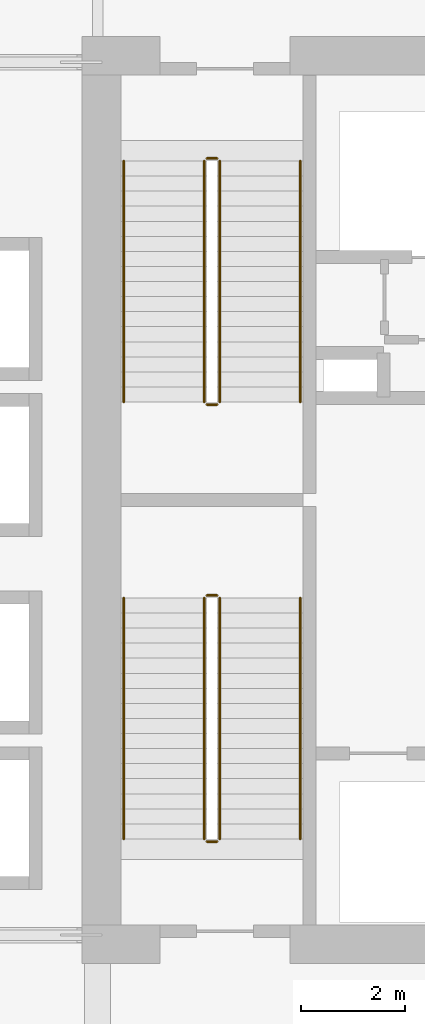
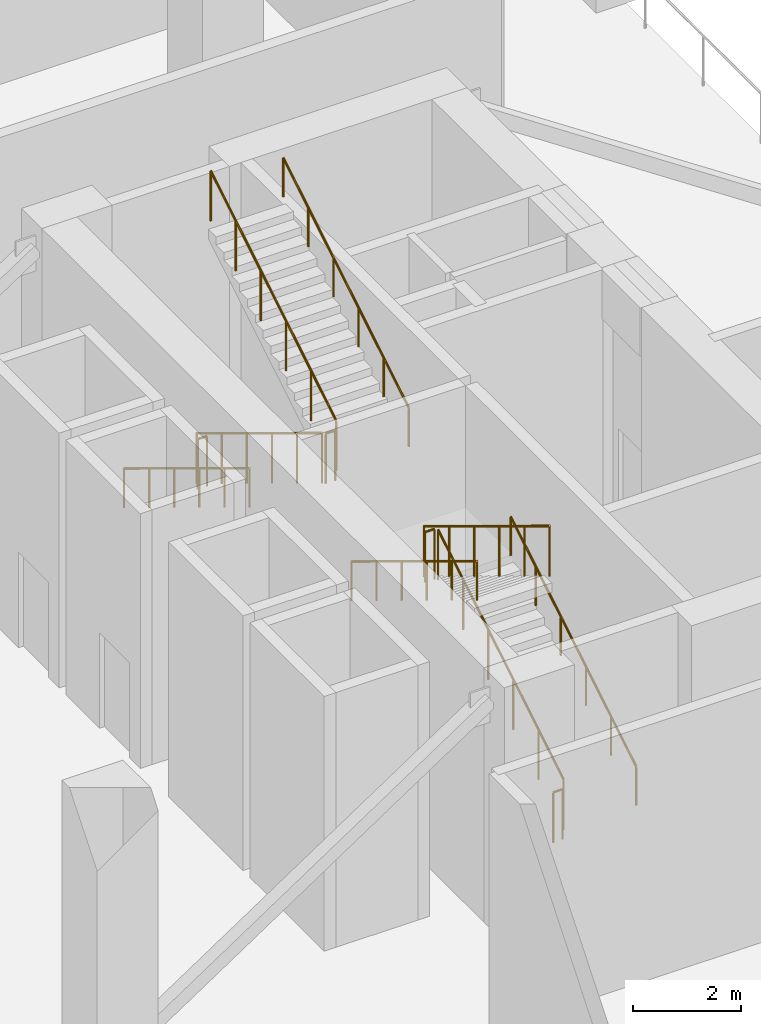
# One storey, part 18 of 19: 12 railings.
"""IFC4 building model written with IfcOpenShell, lengths in metres."""

from ifc_helpers import new_model, si_unit, direction, frame, origin, origin_2d, place, context, subcontext, project, spatial, circle, extrude, material, type_object, element, save


model = new_model("IFC4")

# Units and contexts
model_context = context("Model", 3, precision=1e-05, world=origin(), true_north=direction((0.0, 1.0)))
body_context = subcontext(model_context, "Body", "Model", "MODEL_VIEW")
ifc_project = project(units=[si_unit("LENGTHUNIT", "METRE"), si_unit("AREAUNIT", "SQUARE_METRE"), si_unit("VOLUMEUNIT", "CUBIC_METRE"), si_unit("PLANEANGLEUNIT", "RADIAN"), si_unit("MASSUNIT", "GRAM", prefix="KILO")], contexts=[model_context])

# Site, building, storey
site_placement = place(None, origin())
site = spatial("IfcSite", under=ifc_project, at=site_placement, CompositionType="ELEMENT")
building_placement = place(site_placement, origin())
building = spatial("IfcBuilding", under=site, at=building_placement, Name="Koriwani Terraces Tower", CompositionType="ELEMENT")
storey_placement = place(building_placement, frame((0.0, 0.0, 94.0)))
storey = spatial("IfcBuildingStorey", under=building, at=storey_placement, Name="L22", CompositionType="ELEMENT", Elevation=94.0)

# Railings
ifc_material = material(Name="Steel ASTM A572 Grade 50", Category="steel")
railing_type_1 = type_object("IfcRailingType", Name="GUARD_STAIR_WELL_1120", PredefinedType="GUARDRAIL", material=ifc_material)
railing_1_placement = place(storey_placement, frame((19.14990234375, 43.85009765625, 0.176513671875)))
element("IfcRailing", 1, at=railing_1_placement, inside=storey, type_object=railing_type_1, Name="L22 ST-W1 stair guard 1", PredefinedType="GUARDRAIL", context=body_context, shape_type="SweptSolid", body=[
    extrude(circle(Radius=0.02392578125, at=origin_2d()), frame((0.0, 0.0, 1.1259765625), z_axis=(0.0, 0.854263648073, 0.51983999421), x_axis=(-1.0, 0.0, 0.0)), (0.0, 0.0, 1.0), 5.431396484375),
    extrude(circle(Radius=0.02099609375, at=origin_2d()), origin(), (0.0, 0.0, 1.0), 1.101806640625),
    extrude(circle(Radius=0.02099609375, at=origin_2d()), frame((0.0, 0.927978515625, 0.564697265625)), (0.0, 0.0, 1.0), 1.101806640625),
    extrude(circle(Radius=0.02099609375, at=origin_2d()), frame((0.0, 1.85595703125, 1.12939453125)), (0.0, 0.0, 1.0), 1.101806640625),
    extrude(circle(Radius=0.02099609375, at=origin_2d()), frame((0.0, 2.783935546875, 1.694091796875)), (0.0, 0.0, 1.0), 1.101806640625),
    extrude(circle(Radius=0.02099609375, at=origin_2d()), frame((0.0, 3.7119140625, 2.2587890625)), (0.0, 0.0, 1.0), 1.101806640625),
    extrude(circle(Radius=0.02099609375, at=origin_2d()), frame((0.0, 4.639892578125, 2.823486328125)), (0.0, 0.0, 1.0), 1.101806640625),
])
railing_2_placement = place(storey_placement, frame((19.10009765625, 48.5400390625, 3.0)))
element("IfcRailing", 2, at=railing_2_placement, inside=storey, type_object=railing_type_1, Name="L22 ST-W1 stair guard 2", PredefinedType="GUARDRAIL", context=body_context, shape_type="SweptSolid", body=[
    extrude(circle(Radius=0.02392578125, at=origin_2d()), frame((0.0, 0.0, 1.1259765625), z_axis=(-1.0, 0.0, 0.0), x_axis=(0.0, -1.0, 0.0)), (0.0, 0.0, 1.0), 0.2001953125),
    extrude(circle(Radius=0.02099609375, at=origin_2d()), origin(), (0.0, 0.0, 1.0), 1.101806640625),
    extrude(circle(Radius=0.02099609375, at=origin_2d()), frame((-0.2001953125, 0.0, 0.0)), (0.0, 0.0, 1.0), 1.101806640625),
])
railing_3_placement = place(storey_placement, frame((18.85009765625, 48.489990234375, 3.176513671875)))
element("IfcRailing", 3, at=railing_3_placement, inside=storey, type_object=railing_type_1, Name="L22 ST-W1 stair guard 3", PredefinedType="GUARDRAIL", context=body_context, shape_type="SweptSolid", body=[
    extrude(circle(Radius=0.02392578125, at=origin_2d()), frame((0.0, 0.0, 1.1259765625), z_axis=(0.0, -0.854263648073, 0.51983999421), x_axis=(1.0, 0.0, 0.0)), (0.0, 0.0, 1.0), 5.431396484375),
    extrude(circle(Radius=0.02099609375, at=origin_2d()), origin(), (0.0, 0.0, 1.0), 1.101806640625),
    extrude(circle(Radius=0.02099609375, at=origin_2d()), frame((0.0, -0.927978515625, 0.564697265625)), (0.0, 0.0, 1.0), 1.101806640625),
    extrude(circle(Radius=0.02099609375, at=origin_2d()), frame((0.0, -1.85595703125, 1.12939453125)), (0.0, 0.0, 1.0), 1.101806640625),
    extrude(circle(Radius=0.02099609375, at=origin_2d()), frame((0.0, -2.783935546875, 1.694091796875)), (0.0, 0.0, 1.0), 1.101806640625),
    extrude(circle(Radius=0.02099609375, at=origin_2d()), frame((0.0, -3.7119140625, 2.2587890625)), (0.0, 0.0, 1.0), 1.101806640625),
    extrude(circle(Radius=0.02099609375, at=origin_2d()), frame((0.0, -4.639892578125, 2.823486328125)), (0.0, 0.0, 1.0), 1.101806640625),
])
railing_4_placement = place(storey_placement, frame((19.10009765625, 43.800048828125, 0.0)))
element("IfcRailing", 4, at=railing_4_placement, inside=storey, type_object=railing_type_1, Name="L22 ST-W1 stair guard 4", PredefinedType="GUARDRAIL", context=body_context, shape_type="SweptSolid", body=[
    extrude(circle(Radius=0.02392578125, at=origin_2d()), frame((0.0, 0.0, 1.1259765625), z_axis=(-1.0, 0.0, 0.0), x_axis=(0.0, -1.0, 0.0)), (0.0, 0.0, 1.0), 0.2001953125),
    extrude(circle(Radius=0.02099609375, at=origin_2d()), origin(), (0.0, 0.0, 1.0), 1.101806640625),
    extrude(circle(Radius=0.02099609375, at=origin_2d()), frame((-0.2001953125, 0.0, 0.0)), (0.0, 0.0, 1.0), 1.101806640625),
])
railing_5_placement = place(storey_placement, frame((18.85009765625, 56.89990234375, 0.176513671875)))
element("IfcRailing", 5, at=railing_5_placement, inside=storey, type_object=railing_type_1, Name="L22 ST-W2 stair guard 1", PredefinedType="GUARDRAIL", context=body_context, shape_type="SweptSolid", body=[
    extrude(circle(Radius=0.02392578125, at=origin_2d()), frame((0.0, 0.0, 1.1259765625), z_axis=(0.0, -0.854263648073, 0.51983999421), x_axis=(1.0, 0.0, 0.0)), (0.0, 0.0, 1.0), 5.431396484375),
    extrude(circle(Radius=0.02099609375, at=origin_2d()), origin(), (0.0, 0.0, 1.0), 1.101806640625),
    extrude(circle(Radius=0.02099609375, at=origin_2d()), frame((0.0, -0.927978515625, 0.564697265625)), (0.0, 0.0, 1.0), 1.101806640625),
    extrude(circle(Radius=0.02099609375, at=origin_2d()), frame((0.0, -1.85595703125, 1.12939453125)), (0.0, 0.0, 1.0), 1.101806640625),
    extrude(circle(Radius=0.02099609375, at=origin_2d()), frame((0.0, -2.783935546875, 1.694091796875)), (0.0, 0.0, 1.0), 1.101806640625),
    extrude(circle(Radius=0.02099609375, at=origin_2d()), frame((0.0, -3.7119140625, 2.2587890625)), (0.0, 0.0, 1.0), 1.101806640625),
    extrude(circle(Radius=0.02099609375, at=origin_2d()), frame((0.0, -4.639892578125, 2.823486328125)), (0.0, 0.0, 1.0), 1.101806640625),
])
railing_6_placement = place(storey_placement, frame((18.89990234375, 52.2099609375, 3.0)))
element("IfcRailing", 6, at=railing_6_placement, inside=storey, type_object=railing_type_1, Name="L22 ST-W2 stair guard 2", PredefinedType="GUARDRAIL", context=body_context, shape_type="SweptSolid", body=[
    extrude(circle(Radius=0.02392578125, at=origin_2d()), frame((0.0, 0.0, 1.1259765625), z_axis=(1.0, 0.0, 0.0), x_axis=(0.0, 1.0, 0.0)), (0.0, 0.0, 1.0), 0.2001953125),
    extrude(circle(Radius=0.02099609375, at=origin_2d()), origin(), (0.0, 0.0, 1.0), 1.101806640625),
    extrude(circle(Radius=0.02099609375, at=origin_2d()), frame((0.2001953125, 0.0, 0.0)), (0.0, 0.0, 1.0), 1.101806640625),
])
railing_7_placement = place(storey_placement, frame((19.14990234375, 52.260009765625, 3.176513671875)))
element("IfcRailing", 7, at=railing_7_placement, inside=storey, type_object=railing_type_1, Name="L22 ST-W2 stair guard 3", PredefinedType="GUARDRAIL", context=body_context, shape_type="SweptSolid", body=[
    extrude(circle(Radius=0.02392578125, at=origin_2d()), frame((0.0, 0.0, 1.1259765625), z_axis=(0.0, 0.854263648073, 0.51983999421), x_axis=(-1.0, 0.0, 0.0)), (0.0, 0.0, 1.0), 5.431396484375),
    extrude(circle(Radius=0.02099609375, at=origin_2d()), origin(), (0.0, 0.0, 1.0), 1.101806640625),
    extrude(circle(Radius=0.02099609375, at=origin_2d()), frame((0.0, 0.927978515625, 0.564697265625)), (0.0, 0.0, 1.0), 1.101806640625),
    extrude(circle(Radius=0.02099609375, at=origin_2d()), frame((0.0, 1.85595703125, 1.12939453125)), (0.0, 0.0, 1.0), 1.101806640625),
    extrude(circle(Radius=0.02099609375, at=origin_2d()), frame((0.0, 2.783935546875, 1.694091796875)), (0.0, 0.0, 1.0), 1.101806640625),
    extrude(circle(Radius=0.02099609375, at=origin_2d()), frame((0.0, 3.7119140625, 2.2587890625)), (0.0, 0.0, 1.0), 1.101806640625),
    extrude(circle(Radius=0.02099609375, at=origin_2d()), frame((0.0, 4.639892578125, 2.823486328125)), (0.0, 0.0, 1.0), 1.101806640625),
])
railing_8_placement = place(storey_placement, frame((18.89990234375, 56.949951171875, 0.0)))
element("IfcRailing", 8, at=railing_8_placement, inside=storey, type_object=railing_type_1, Name="L22 ST-W2 stair guard 4", PredefinedType="GUARDRAIL", context=body_context, shape_type="SweptSolid", body=[
    extrude(circle(Radius=0.02392578125, at=origin_2d()), frame((0.0, 0.0, 1.1259765625), z_axis=(1.0, 0.0, 0.0), x_axis=(0.0, 1.0, 0.0)), (0.0, 0.0, 1.0), 0.2001953125),
    extrude(circle(Radius=0.02099609375, at=origin_2d()), origin(), (0.0, 0.0, 1.0), 1.101806640625),
    extrude(circle(Radius=0.02099609375, at=origin_2d()), frame((0.2001953125, 0.0, 0.0)), (0.0, 0.0, 1.0), 1.101806640625),
])
railing_type_2 = type_object("IfcRailingType", Name="HANDRAIL_STAIR_920", PredefinedType="HANDRAIL", material=ifc_material)
railing_9_placement = place(storey_placement, frame((20.699951171875, 43.85009765625, 0.176513671875)))
element("IfcRailing", 9, at=railing_9_placement, inside=storey, type_object=railing_type_2, Name="L22 ST-W1 stair handrail 1", PredefinedType="HANDRAIL", context=body_context, shape_type="SweptSolid", body=[
    extrude(circle(Radius=0.02392578125, at=origin_2d()), frame((0.0, 0.0, 0.8759765625), z_axis=(0.0, 0.854263648073, 0.51983999421), x_axis=(-1.0, 0.0, 0.0)), (0.0, 0.0, 1.0), 5.431396484375),
    extrude(circle(Radius=0.02099609375, at=origin_2d()), origin(), (0.0, 0.0, 1.0), 0.851806640625),
    extrude(circle(Radius=0.02099609375, at=origin_2d()), frame((0.0, 0.927978515625, 0.564697265625)), (0.0, 0.0, 1.0), 0.851806640625),
    extrude(circle(Radius=0.02099609375, at=origin_2d()), frame((0.0, 1.85595703125, 1.12939453125)), (0.0, 0.0, 1.0), 0.851806640625),
    extrude(circle(Radius=0.02099609375, at=origin_2d()), frame((0.0, 2.783935546875, 1.694091796875)), (0.0, 0.0, 1.0), 0.851806640625),
    extrude(circle(Radius=0.02099609375, at=origin_2d()), frame((0.0, 3.7119140625, 2.2587890625)), (0.0, 0.0, 1.0), 0.851806640625),
    extrude(circle(Radius=0.02099609375, at=origin_2d()), frame((0.0, 4.639892578125, 2.823486328125)), (0.0, 0.0, 1.0), 0.851806640625),
])
for number, where, name in (
    (10, (17.300048828125, 48.489990234375, 3.176513671875), "L22 ST-W1 stair handrail 2"),
    (11, (17.300048828125, 56.89990234375, 0.176513671875), "L22 ST-W2 stair handrail 1"),
):
    element("IfcRailing", number, at=place(storey_placement, frame(where)), inside=storey, type_object=railing_type_2, Name=name, PredefinedType="HANDRAIL", context=body_context, shape_type="SweptSolid", body=[
        extrude(circle(Radius=0.02392578125, at=origin_2d()), frame((0.0, 0.0, 0.8759765625), z_axis=(0.0, -0.854263648073, 0.51983999421), x_axis=(1.0, 0.0, 0.0)), (0.0, 0.0, 1.0), 5.431396484375),
        extrude(circle(Radius=0.02099609375, at=origin_2d()), origin(), (0.0, 0.0, 1.0), 0.851806640625),
        extrude(circle(Radius=0.02099609375, at=origin_2d()), frame((0.0, -0.927978515625, 0.564697265625)), (0.0, 0.0, 1.0), 0.851806640625),
        extrude(circle(Radius=0.02099609375, at=origin_2d()), frame((0.0, -1.85595703125, 1.12939453125)), (0.0, 0.0, 1.0), 0.851806640625),
        extrude(circle(Radius=0.02099609375, at=origin_2d()), frame((0.0, -2.783935546875, 1.694091796875)), (0.0, 0.0, 1.0), 0.851806640625),
        extrude(circle(Radius=0.02099609375, at=origin_2d()), frame((0.0, -3.7119140625, 2.2587890625)), (0.0, 0.0, 1.0), 0.851806640625),
        extrude(circle(Radius=0.02099609375, at=origin_2d()), frame((0.0, -4.639892578125, 2.823486328125)), (0.0, 0.0, 1.0), 0.851806640625),
    ])
railing_10_placement = place(storey_placement, frame((20.699951171875, 52.260009765625, 3.176513671875)))
element("IfcRailing", 12, at=railing_10_placement, inside=storey, type_object=railing_type_2, Name="L22 ST-W2 stair handrail 2", PredefinedType="HANDRAIL", context=body_context, shape_type="SweptSolid", body=[
    extrude(circle(Radius=0.02392578125, at=origin_2d()), frame((0.0, 0.0, 0.8759765625), z_axis=(0.0, 0.854263648073, 0.51983999421), x_axis=(-1.0, 0.0, 0.0)), (0.0, 0.0, 1.0), 5.431396484375),
    extrude(circle(Radius=0.02099609375, at=origin_2d()), origin(), (0.0, 0.0, 1.0), 0.851806640625),
    extrude(circle(Radius=0.02099609375, at=origin_2d()), frame((0.0, 0.927978515625, 0.564697265625)), (0.0, 0.0, 1.0), 0.851806640625),
    extrude(circle(Radius=0.02099609375, at=origin_2d()), frame((0.0, 1.85595703125, 1.12939453125)), (0.0, 0.0, 1.0), 0.851806640625),
    extrude(circle(Radius=0.02099609375, at=origin_2d()), frame((0.0, 2.783935546875, 1.694091796875)), (0.0, 0.0, 1.0), 0.851806640625),
    extrude(circle(Radius=0.02099609375, at=origin_2d()), frame((0.0, 3.7119140625, 2.2587890625)), (0.0, 0.0, 1.0), 0.851806640625),
    extrude(circle(Radius=0.02099609375, at=origin_2d()), frame((0.0, 4.639892578125, 2.823486328125)), (0.0, 0.0, 1.0), 0.851806640625),
])

save(model, "model.ifc")
